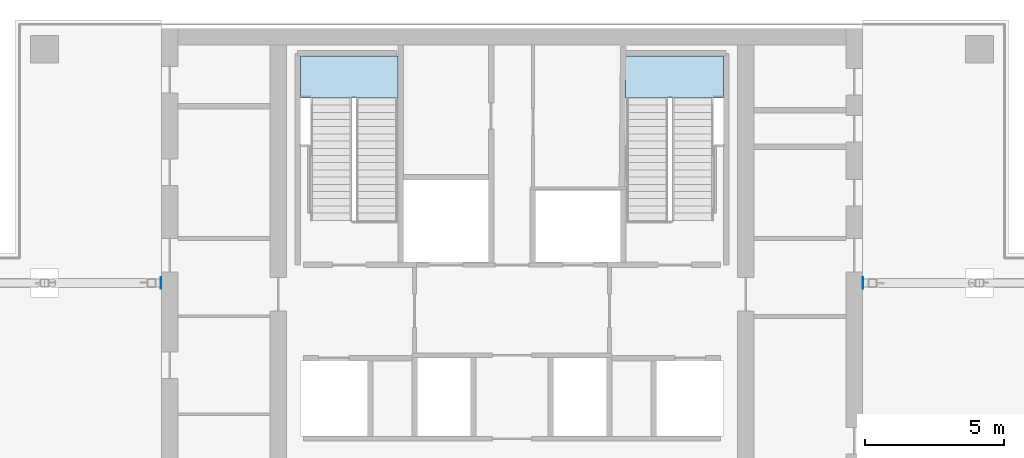
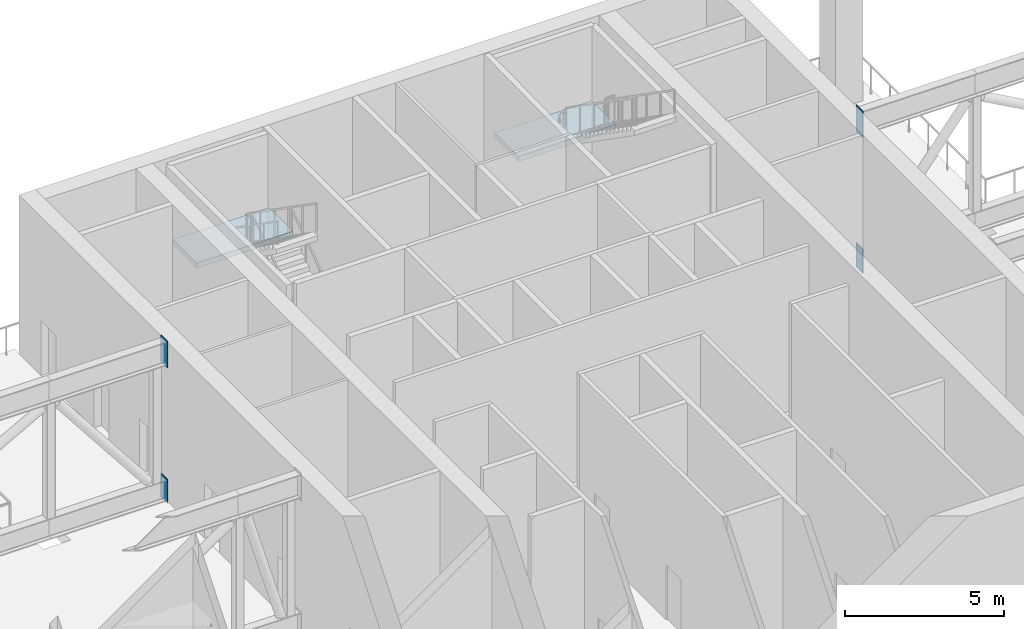
# One storey, part 9 of 24: 4 plates, 2 slabs, 2 elements without a shape of their own.
"""IFC4 building model written with IfcOpenShell, lengths in metres."""

from ifc_helpers import new_model, si_unit, direction, frame, origin, origin_2d, place, context, subcontext, project, spatial, polyline, rectangle, outline, extrude, material, layer, layer_set, type_object, element, aggregate, save


model = new_model("IFC4")

# Units and contexts
model_context = context("Model", 3, precision=1e-05, world=origin(), true_north=direction((0.0, 1.0)))
body_context = subcontext(model_context, "Body", "Model", "MODEL_VIEW")
ifc_project = project(units=[si_unit("LENGTHUNIT", "METRE"), si_unit("AREAUNIT", "SQUARE_METRE"), si_unit("VOLUMEUNIT", "CUBIC_METRE"), si_unit("PLANEANGLEUNIT", "RADIAN"), si_unit("MASSUNIT", "GRAM", prefix="KILO")], contexts=[model_context])

# Site, building, storey
site_placement = place(None, origin())
site = spatial("IfcSite", under=ifc_project, at=site_placement, CompositionType="ELEMENT")
building_placement = place(site_placement, origin())
building = spatial("IfcBuilding", under=site, at=building_placement, Name="Vermilion Ogive Tower", CompositionType="ELEMENT")
storey_placement = place(building_placement, frame((0.0, 0.0, 216.949951171875)))
storey = spatial("IfcBuildingStorey", under=building, at=storey_placement, Name="L57", CompositionType="ELEMENT", Elevation=216.949951171875)

# Plates
ifc_material_1 = material(Name="Steel S355", Category="steel")
ifc_layer_1 = layer(ifc_material_1, 0.030029296875)
ifc_layer_set_1 = layer_set([ifc_layer_1], Name="Cast-in embed plate 30")
plate_type = type_object("IfcPlateType", Name="Cast-in embed plate 30", PredefinedType="USERDEFINED", material=ifc_layer_set_1)
plate_1_placement = place(storey_placement, frame((12.614990234375, 12.60009765625, -0.059814453125), z_axis=(0.0, 0.0, 1.0), x_axis=(1.0, 0.0, 0.0)))
element("IfcPlate", 1, at=plate_1_placement, inside=storey, type_object=plate_type, Name="Cast-in embed plate L57-TR-EWE+12.6-B1 end 1", ObjectType="EMBED PLATE", PredefinedType="USERDEFINED", context=body_context, shape_type="SweptSolid", body=[
    extrude(rectangle(XDim=0.030029296875, YDim=0.419921875, at=origin_2d()), origin(), (0.0, 0.0, 1.0), 0.919921875),
])
plate_2_placement = place(storey_placement, frame((12.614990234375, 12.60009765625, 5.14013671875), z_axis=(0.0, 0.0, 1.0), x_axis=(1.0, 0.0, 0.0)))
element("IfcPlate", 2, at=plate_2_placement, inside=storey, type_object=plate_type, Name="Cast-in embed plate L57-TR-EWE+12.6-T3 end 1", ObjectType="EMBED PLATE", PredefinedType="USERDEFINED", context=body_context, shape_type="SweptSolid", body=[
    extrude(rectangle(XDim=0.030029296875, YDim=0.419921875, at=origin_2d()), origin(), (0.0, 0.0, 1.0), 1.02001953125),
])
plate_3_placement = place(storey_placement, frame((-12.614990234375, 12.60009765625, -0.059814453125), z_axis=(0.0, 0.0, 1.0), x_axis=(1.0, 0.0, 0.0)))
element("IfcPlate", 3, at=plate_3_placement, inside=storey, type_object=plate_type, Name="Cast-in embed plate L57-TR-EWW+12.6-B1 end 1", ObjectType="EMBED PLATE", PredefinedType="USERDEFINED", context=body_context, shape_type="SweptSolid", body=[
    extrude(rectangle(XDim=0.030029296875, YDim=0.419921875, at=origin_2d()), origin(), (0.0, 0.0, 1.0), 0.919921875),
])
plate_4_placement = place(storey_placement, frame((-12.614990234375, 12.60009765625, 5.14013671875), z_axis=(0.0, 0.0, 1.0), x_axis=(1.0, 0.0, 0.0)))
element("IfcPlate", 4, at=plate_4_placement, inside=storey, type_object=plate_type, Name="Cast-in embed plate L57-TR-EWW+12.6-T3 end 1", ObjectType="EMBED PLATE", PredefinedType="USERDEFINED", context=body_context, shape_type="SweptSolid", body=[
    extrude(rectangle(XDim=0.030029296875, YDim=0.419921875, at=origin_2d()), origin(), (0.0, 0.0, 1.0), 1.02001953125),
])

# Stair, slab
ifc_material_2 = material(Name="Concrete B40", Category="concrete")
stair_type = type_object("IfcStairType", Name="Exit stair 1500", PredefinedType="HALF_TURN_STAIR", material=ifc_material_2)
stair_1_placement = place(storey_placement, origin())
stair_1 = element("IfcStair", 5, at=stair_1_placement, inside=storey, type_object=stair_type, Name="L57 Exit Stair ST1", PredefinedType="HALF_TURN_STAIR")
ifc_material_3 = material(Name="Concrete B40", Category="concrete")
ifc_layer_2 = layer(ifc_material_3, 0.199951171875)
ifc_layer_set_2 = layer_set([ifc_layer_2], Name="Stair landing 200")
slab_type = type_object("IfcSlabType", Name="Stair landing 200", PredefinedType="LANDING", material=ifc_layer_set_2)
slab_1_placement = place(storey_placement, frame((0.0, 0.0, 3.050048828125)))
slab_1 = element("IfcSlab", 6, at=slab_1_placement, type_object=slab_type, Name="ST1 landing 1", PredefinedType="LANDING", context=body_context, shape_type="SweptSolid", body=[
    extrude(outline(polyline([(-7.60009765625, 19.25), (-7.25, 19.25), (-7.25, 19.248046875), (-5.75, 19.248046875), (-5.75, 19.25), (-5.60009765625, 19.25), (-5.60009765625, 19.248046875), (-4.10009765625, 19.248046875), (-4.10009765625, 20.75), (-7.60009765625, 20.75), (-7.60009765625, 19.25)])), origin(), (0.0, 0.0, 1.0), 0.199951171875),
])
aggregate(stair_1, [slab_1])

stair_2_placement = place(storey_placement, origin())
stair_2 = element("IfcStair", 7, at=stair_2_placement, inside=storey, type_object=stair_type, Name="L57 Exit Stair ST2", PredefinedType="HALF_TURN_STAIR")
slab_2_placement = place(storey_placement, frame((0.0, 0.0, 3.050048828125)))
slab_2 = element("IfcSlab", 8, at=slab_2_placement, type_object=slab_type, Name="ST2 landing 1", PredefinedType="LANDING", context=body_context, shape_type="SweptSolid", body=[
    extrude(outline(polyline([(5.60009765625, 19.25), (5.75, 19.25), (5.75, 19.248046875), (7.25, 19.248046875), (7.25, 19.25), (7.60009765625, 19.25), (7.60009765625, 20.75), (4.074951171875, 20.75), (4.074951171875, 19.25), (4.10009765625, 19.25), (4.10009765625, 19.248046875), (5.60009765625, 19.248046875), (5.60009765625, 19.25)])), origin(), (0.0, 0.0, 1.0), 0.199951171875),
])
aggregate(stair_2, [slab_2])

save(model, "model.ifc")
